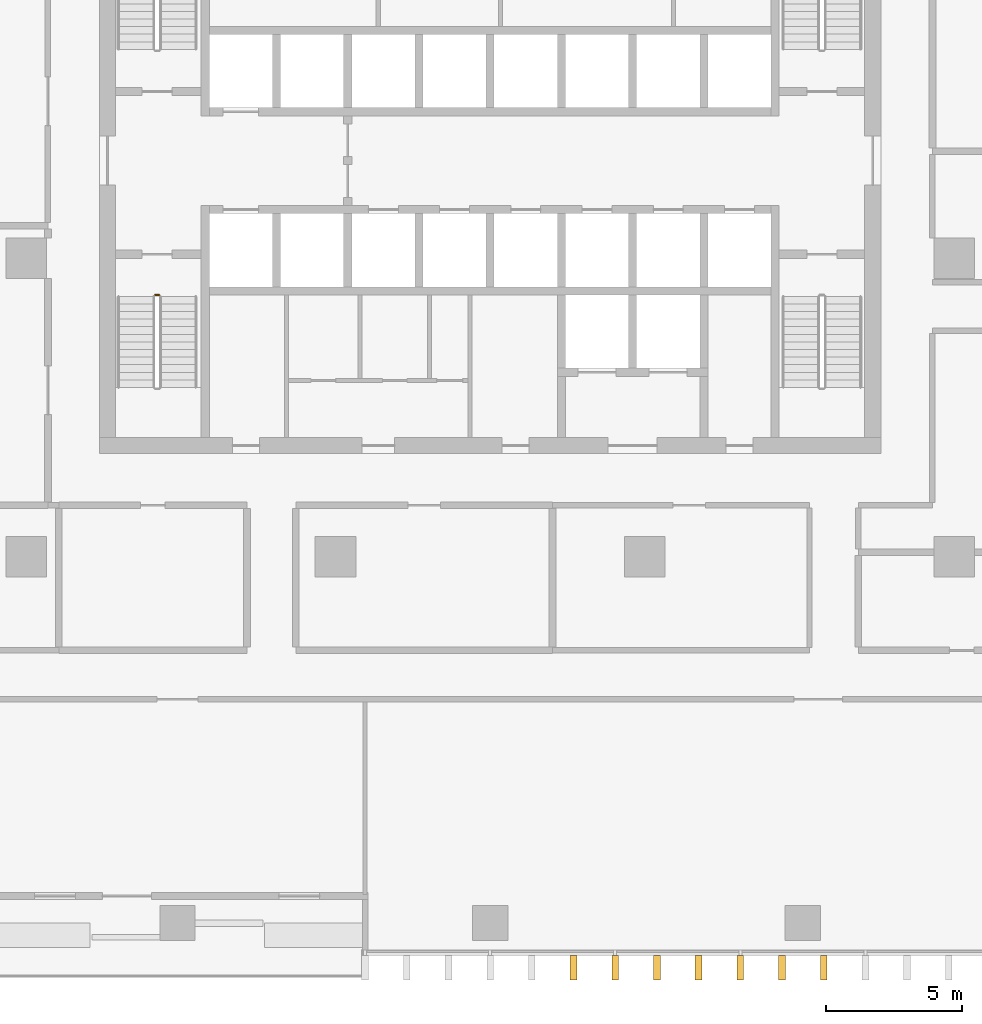
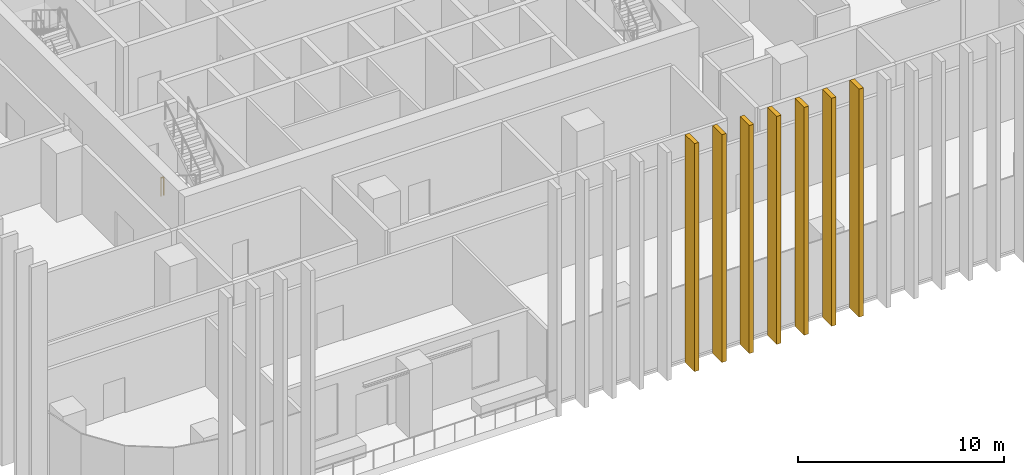
# One storey, part 13 of 17: 7 shading devices, 1 railing.
"""IFC4 building model written with IfcOpenShell, lengths in metres."""

from ifc_helpers import new_model, si_unit, direction, frame, origin, origin_2d, place, context, subcontext, project, spatial, rectangle, circle, extrude, material, type_object, element, save


model = new_model("IFC4")

# Units and contexts
model_context = context("Model", 3, precision=1e-05, world=origin(), true_north=direction((0.0, 1.0)))
body_context = subcontext(model_context, "Body", "Model", "MODEL_VIEW")
ifc_project = project(units=[si_unit("LENGTHUNIT", "METRE"), si_unit("AREAUNIT", "SQUARE_METRE"), si_unit("VOLUMEUNIT", "CUBIC_METRE"), si_unit("PLANEANGLEUNIT", "RADIAN"), si_unit("MASSUNIT", "GRAM", prefix="KILO")], contexts=[model_context])

# Site, building, storey
site_placement = place(None, origin())
site = spatial("IfcSite", under=ifc_project, at=site_placement, CompositionType="ELEMENT")
building_placement = place(site_placement, origin())
building = spatial("IfcBuilding", under=site, at=building_placement, Name="Mopane Tessera Tower", CompositionType="ELEMENT")
storey_placement = place(building_placement, frame((0.0, 0.0, 121.60009765625)))
storey = spatial("IfcBuildingStorey", under=building, at=storey_placement, Name="L24", CompositionType="ELEMENT", Elevation=121.60009765625)

# Shading devices
ifc_material_1 = material(Name="Glazed ceramic tile")
shading_device_type = type_object("IfcShadingDeviceType", Name="Ceramic tile fin 900 x 250 mm", PredefinedType="USERDEFINED", material=ifc_material_1)
for number, where, z_axis, x_axis, name in (
    (1, (3.0732421875, -26.14990234375, -0.4501953125), (0.0, 0.0, 1.0), (1.0, 0.0, 0.0), "e:fin:L24:S:5:2"),
    (2, (4.610107421875, -26.14990234375, -0.4501953125), (0.0, 0.0, 1.0), (1.0, 0.0, 0.0), "e:fin:L24:S:6:0"),
    (3, (6.146728515625, -26.14990234375, -0.4501953125), (0.0, 0.0, 1.0), (1.0, 0.0, 0.0), "e:fin:L24:S:6:1"),
    (4, (7.683349609375, -26.14990234375, -0.4501953125), (0.0, 0.0, 1.0), (1.0, 0.0, 0.0), "e:fin:L24:S:6:2"),
    (5, (9.219970703125, -26.14990234375, -0.4501953125), (0.0, 0.0, 1.0), (1.0, 0.0, 0.0), "e:fin:L24:S:7:0"),
    (6, (10.756591796875, -26.14990234375, -0.4501953125), (0.0, 0.0, 1.0), (1.0, 0.0, 0.0), "e:fin:L24:S:7:1"),
    (7, (12.293212890625, -26.14990234375, -0.4501953125), (0.0, 0.0, 1.0), (1.0, 0.0, 0.0), "e:fin:L24:S:7:2"),
):
    element("IfcShadingDevice", number, at=place(storey_placement, frame(where, z_axis=z_axis, x_axis=x_axis)), inside=storey, type_object=shading_device_type, Name=name, ObjectType="FIN", PredefinedType="USERDEFINED", context=body_context, shape_type="SweptSolid", body=[
        extrude(rectangle(XDim=0.25, YDim=0.89990234375, at=origin_2d()), origin(), (0.0, 0.0, 1.0), 13.5),
    ])

# Railing
ifc_material_2 = material(Name="Powder-coated steel balustrade", Category="steel")
railing_type = type_object("IfcRailingType", Name="Escape stair guard 1100 mm", PredefinedType="GUARDRAIL", material=ifc_material_2)
railing_placement = place(storey_placement, frame((-12.35009765625, -1.35009765625, 0.0)))
element("IfcRailing", 8, at=railing_placement, inside=storey, type_object=railing_type, Name="L24 ST1 stair guard 3", PredefinedType="GUARDRAIL", context=body_context, shape_type="SweptSolid", body=[
    extrude(circle(Radius=0.02392578125, at=origin_2d()), frame((0.0, 0.0, 1.076171875), z_axis=(1.0, 0.0, 0.0), x_axis=(0.0, 1.0, 0.0)), (0.0, 0.0, 1.0), 0.150146484375),
    extrude(circle(Radius=0.02099609375, at=origin_2d()), origin(), (0.0, 0.0, 1.0), 1.052001953125),
    extrude(circle(Radius=0.02099609375, at=origin_2d()), frame((0.150146484375, 0.0, 0.0)), (0.0, 0.0, 1.0), 1.052001953125),
])

save(model, "model.ifc")
